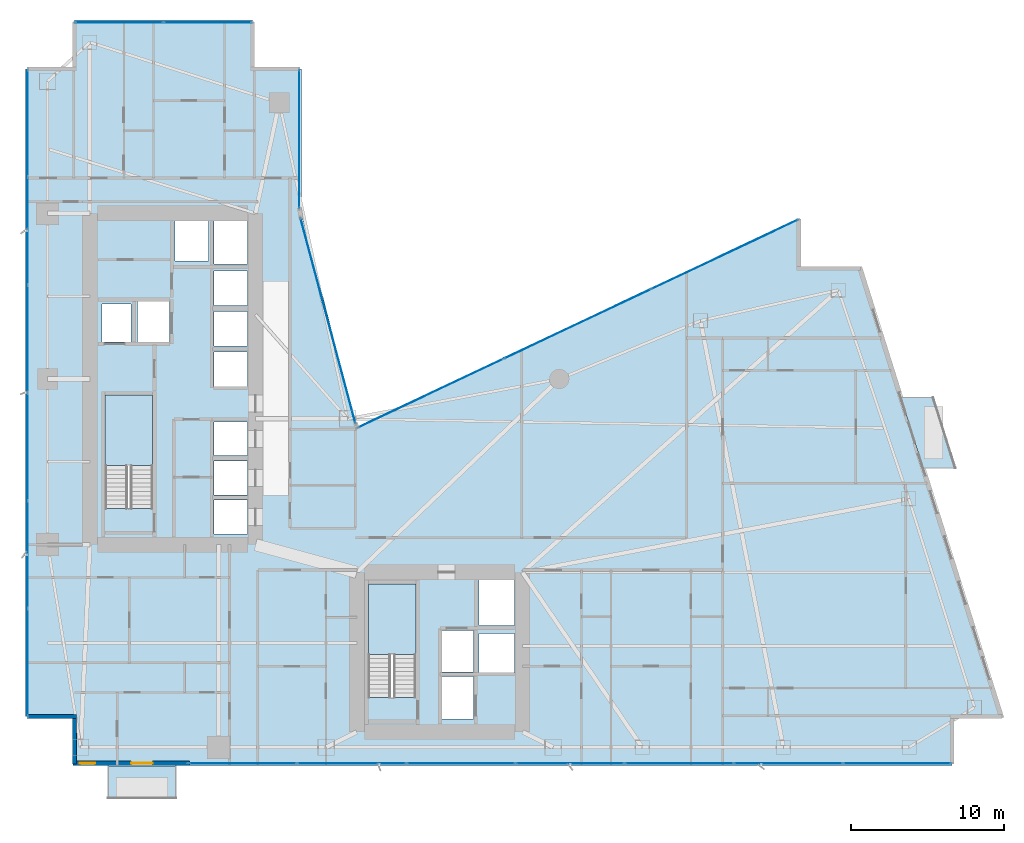
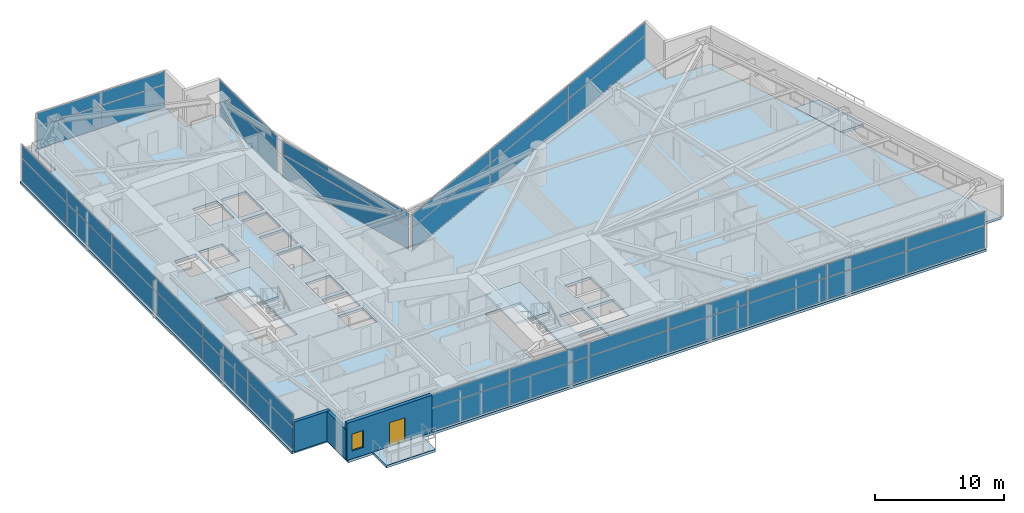
# One storey, part 20 of 28: 40 plates, 5 slabs, 3 walls, 1 door, 1 window, 2 openings, 8 elements without a shape of their own.
"""IFC4 building model written with IfcOpenShell, lengths in metres."""

from ifc_helpers import new_model, si_unit, direction, frame, frame_2d, origin, origin_2d, place, context, subcontext, project, spatial, polyline, rectangle, outline, extrude, material, layer, layer_set, type_object, element, fill, aggregate, save


model = new_model("IFC4")

# Units and contexts
model_context = context("Model", 3, precision=1e-05, world=origin(), true_north=direction((0.0, 1.0)))
body_context = subcontext(model_context, "Body", "Model", "MODEL_VIEW")
ifc_project = project(units=[si_unit("LENGTHUNIT", "METRE"), si_unit("AREAUNIT", "SQUARE_METRE"), si_unit("VOLUMEUNIT", "CUBIC_METRE"), si_unit("PLANEANGLEUNIT", "RADIAN"), si_unit("MASSUNIT", "GRAM", prefix="KILO")], contexts=[model_context])

# Site, building, storey
site_placement = place(None, origin())
site = spatial("IfcSite", under=ifc_project, at=site_placement, CompositionType="ELEMENT")
building_placement = place(site_placement, origin())
building = spatial("IfcBuilding", under=site, at=building_placement, Name="Calvorn Quay Hotel", CompositionType="ELEMENT")
storey_placement = place(building_placement, frame((0.0, 0.0, 88.800048828125)))
storey = spatial("IfcBuildingStorey", under=building, at=storey_placement, Name="L21", CompositionType="ELEMENT", Elevation=88.800048828125)

# Curtain wall, plates
ifc_material_1 = material(Name="Pale Anodised Aluminium and Low-E Glass", Category="aluminium")
ifc_layer_1 = layer(ifc_material_1, 0.219970703125)
ifc_layer_set_1 = layer_set([ifc_layer_1], Name="CW-SYS-Z1")
curtain_wall_type = type_object("IfcCurtainWallType", Name="CW-SYS-Z1", PredefinedType="NOTDEFINED", material=ifc_layer_set_1)
curtain_wall_1_placement = place(storey_placement, origin())
curtain_wall_1 = element("IfcCurtainWall", 1, at=curtain_wall_1_placement, inside=storey, type_object=curtain_wall_type, Name="Tower West Curtain Wall (L21)", PredefinedType="NOTDEFINED")
ifc_material_2 = material(Name="Low-E Laminated Double Glazing", Category="glass")
ifc_layer_2 = layer(ifc_material_2, 0.028076171875)
ifc_layer_set_2 = layer_set([ifc_layer_2], Name="CW-SYS-Z1-PAN")
plate_type = type_object("IfcPlateType", Name="CW-SYS-Z1-PAN", PredefinedType="CURTAIN_PANEL", material=ifc_layer_set_2)
plate_1_placement = place(storey_placement, frame((0.14990234375, 9.131591796875, 0.06005859375), z_axis=(0.0, 0.0, 1.0), x_axis=(0.0, 1.0, 0.0)))
plate_1 = element("IfcPlate", 2, at=plate_1_placement, type_object=plate_type, Name="CW-L21-W panel 1.1", PredefinedType="CURTAIN_PANEL", context=body_context, shape_type="SweptSolid", body=[
    extrude(rectangle(XDim=6.943359375, YDim=0.028076171875, at=origin_2d()), origin(), (0.0, 0.0, 1.0), 2.110107421875),
])
plate_2_placement = place(storey_placement, frame((0.14990234375, 9.131591796875, 2.22998046875), z_axis=(0.0, 0.0, 1.0), x_axis=(0.0, 1.0, 0.0)))
plate_2 = element("IfcPlate", 3, at=plate_2_placement, type_object=plate_type, Name="CW-L21-W panel 1.2", PredefinedType="CURTAIN_PANEL", context=body_context, shape_type="SweptSolid", body=[
    extrude(rectangle(XDim=6.943359375, YDim=0.028076171875, at=origin_2d()), origin(), (0.0, 0.0, 1.0), 1.22998046875),
])
plate_3_placement = place(storey_placement, frame((0.14990234375, 16.14990234375, 0.06005859375), z_axis=(0.0, 0.0, 1.0), x_axis=(0.0, 1.0, 0.0)))
plate_3 = element("IfcPlate", 4, at=plate_3_placement, type_object=plate_type, Name="CW-L21-W panel 2.1", PredefinedType="CURTAIN_PANEL", context=body_context, shape_type="SweptSolid", body=[
    extrude(rectangle(XDim=6.973388671875, YDim=0.028076171875, at=origin_2d()), origin(), (0.0, 0.0, 1.0), 2.110107421875),
])
plate_4_placement = place(storey_placement, frame((0.14990234375, 16.14990234375, 2.22998046875), z_axis=(0.0, 0.0, 1.0), x_axis=(0.0, 1.0, 0.0)))
plate_4 = element("IfcPlate", 5, at=plate_4_placement, type_object=plate_type, Name="CW-L21-W panel 2.2", PredefinedType="CURTAIN_PANEL", context=body_context, shape_type="SweptSolid", body=[
    extrude(rectangle(XDim=6.973388671875, YDim=0.028076171875, at=origin_2d()), origin(), (0.0, 0.0, 1.0), 1.22998046875),
])
plate_5_placement = place(storey_placement, frame((0.14990234375, 23.183349609375, 0.06005859375), z_axis=(0.0, 0.0, 1.0), x_axis=(0.0, 1.0, 0.0)))
plate_5 = element("IfcPlate", 6, at=plate_5_placement, type_object=plate_type, Name="CW-L21-W panel 3.1", PredefinedType="CURTAIN_PANEL", context=body_context, shape_type="SweptSolid", body=[
    extrude(rectangle(XDim=6.973388671875, YDim=0.028076171875, at=origin_2d()), origin(), (0.0, 0.0, 1.0), 2.110107421875),
])
plate_6_placement = place(storey_placement, frame((0.14990234375, 23.183349609375, 2.22998046875), z_axis=(0.0, 0.0, 1.0), x_axis=(0.0, 1.0, 0.0)))
plate_6 = element("IfcPlate", 7, at=plate_6_placement, type_object=plate_type, Name="CW-L21-W panel 3.2", PredefinedType="CURTAIN_PANEL", context=body_context, shape_type="SweptSolid", body=[
    extrude(rectangle(XDim=6.973388671875, YDim=0.028076171875, at=origin_2d()), origin(), (0.0, 0.0, 1.0), 1.22998046875),
])
plate_7_placement = place(storey_placement, frame((0.14990234375, 30.216552734375, 0.06005859375), z_axis=(0.0, 0.0, 1.0), x_axis=(0.0, 1.0, 0.0)))
plate_7 = element("IfcPlate", 8, at=plate_7_placement, type_object=plate_type, Name="CW-L21-W panel 4.1", PredefinedType="CURTAIN_PANEL", context=body_context, shape_type="SweptSolid", body=[
    extrude(rectangle(XDim=6.973388671875, YDim=0.028076171875, at=origin_2d()), origin(), (0.0, 0.0, 1.0), 2.110107421875),
])
plate_8_placement = place(storey_placement, frame((0.14990234375, 30.216552734375, 2.22998046875), z_axis=(0.0, 0.0, 1.0), x_axis=(0.0, 1.0, 0.0)))
plate_8 = element("IfcPlate", 9, at=plate_8_placement, type_object=plate_type, Name="CW-L21-W panel 4.2", PredefinedType="CURTAIN_PANEL", context=body_context, shape_type="SweptSolid", body=[
    extrude(rectangle(XDim=6.973388671875, YDim=0.028076171875, at=origin_2d()), origin(), (0.0, 0.0, 1.0), 1.22998046875),
])
plate_9_placement = place(storey_placement, frame((0.14990234375, 37.25, 0.06005859375), z_axis=(0.0, 0.0, 1.0), x_axis=(0.0, 1.0, 0.0)))
plate_9 = element("IfcPlate", 10, at=plate_9_placement, type_object=plate_type, Name="CW-L21-W panel 5.1", PredefinedType="CURTAIN_PANEL", context=body_context, shape_type="SweptSolid", body=[
    extrude(rectangle(XDim=6.973388671875, YDim=0.028076171875, at=origin_2d()), origin(), (0.0, 0.0, 1.0), 2.110107421875),
])
plate_10_placement = place(storey_placement, frame((0.14990234375, 37.25, 2.22998046875), z_axis=(0.0, 0.0, 1.0), x_axis=(0.0, 1.0, 0.0)))
plate_10 = element("IfcPlate", 11, at=plate_10_placement, type_object=plate_type, Name="CW-L21-W panel 5.2", PredefinedType="CURTAIN_PANEL", context=body_context, shape_type="SweptSolid", body=[
    extrude(rectangle(XDim=6.973388671875, YDim=0.028076171875, at=origin_2d()), origin(), (0.0, 0.0, 1.0), 1.22998046875),
])
plate_11_placement = place(storey_placement, frame((0.14990234375, 44.268310546875, 0.06005859375), z_axis=(0.0, 0.0, 1.0), x_axis=(0.0, 1.0, 0.0)))
plate_11 = element("IfcPlate", 12, at=plate_11_placement, type_object=plate_type, Name="CW-L21-W panel 6.1", PredefinedType="CURTAIN_PANEL", context=body_context, shape_type="SweptSolid", body=[
    extrude(rectangle(XDim=6.943359375, YDim=0.028076171875, at=origin_2d()), origin(), (0.0, 0.0, 1.0), 2.110107421875),
])
plate_12_placement = place(storey_placement, frame((0.14990234375, 44.268310546875, 2.22998046875), z_axis=(0.0, 0.0, 1.0), x_axis=(0.0, 1.0, 0.0)))
plate_12 = element("IfcPlate", 13, at=plate_12_placement, type_object=plate_type, Name="CW-L21-W panel 6.2", PredefinedType="CURTAIN_PANEL", context=body_context, shape_type="SweptSolid", body=[
    extrude(rectangle(XDim=6.943359375, YDim=0.028076171875, at=origin_2d()), origin(), (0.0, 0.0, 1.0), 1.22998046875),
])
aggregate(curtain_wall_1, [plate_1, plate_2, plate_3, plate_4, plate_5, plate_6, plate_7, plate_8, plate_9, plate_10, plate_11, plate_12])

curtain_wall_2_placement = place(storey_placement, origin())
curtain_wall_2 = element("IfcCurtainWall", 14, at=curtain_wall_2_placement, inside=storey, type_object=curtain_wall_type, Name="Tower South Waterfront Curtain Wall (L21)", PredefinedType="NOTDEFINED")
plate_13_placement = place(storey_placement, frame((14.172119140625, 2.550048828125, 0.06005859375), z_axis=(0.0, 0.0, 1.0), x_axis=(1.0, 0.0, 0.0)))
plate_13 = element("IfcPlate", 15, at=plate_13_placement, type_object=plate_type, Name="CW-L21-S panel 1.1", PredefinedType="CURTAIN_PANEL", context=body_context, shape_type="SweptSolid", body=[
    extrude(rectangle(XDim=7.024169921875, YDim=0.028076171875, at=origin_2d()), origin(), (0.0, 0.0, 1.0), 2.110107421875),
])
plate_14_placement = place(storey_placement, frame((14.172119140625, 2.550048828125, 2.22998046875), z_axis=(0.0, 0.0, 1.0), x_axis=(1.0, 0.0, 0.0)))
plate_14 = element("IfcPlate", 16, at=plate_14_placement, type_object=plate_type, Name="CW-L21-S panel 1.2", PredefinedType="CURTAIN_PANEL", context=body_context, shape_type="SweptSolid", body=[
    extrude(rectangle(XDim=7.024169921875, YDim=0.028076171875, at=origin_2d()), origin(), (0.0, 0.0, 1.0), 1.22998046875),
])
plate_15_placement = place(storey_placement, frame((21.271484375, 2.550048828125, 0.06005859375), z_axis=(0.0, 0.0, 1.0), x_axis=(1.0, 0.0, 0.0)))
plate_15 = element("IfcPlate", 17, at=plate_15_placement, type_object=plate_type, Name="CW-L21-S panel 2.1", PredefinedType="CURTAIN_PANEL", context=body_context, shape_type="SweptSolid", body=[
    extrude(rectangle(XDim=7.05419921875, YDim=0.028076171875, at=origin_2d()), origin(), (0.0, 0.0, 1.0), 2.110107421875),
])
plate_16_placement = place(storey_placement, frame((21.271484375, 2.550048828125, 2.22998046875), z_axis=(0.0, 0.0, 1.0), x_axis=(1.0, 0.0, 0.0)))
plate_16 = element("IfcPlate", 18, at=plate_16_placement, type_object=plate_type, Name="CW-L21-S panel 2.2", PredefinedType="CURTAIN_PANEL", context=body_context, shape_type="SweptSolid", body=[
    extrude(rectangle(XDim=7.05419921875, YDim=0.028076171875, at=origin_2d()), origin(), (0.0, 0.0, 1.0), 1.22998046875),
])
plate_17_placement = place(storey_placement, frame((28.3857421875, 2.550048828125, 0.06005859375), z_axis=(0.0, 0.0, 1.0), x_axis=(1.0, 0.0, 0.0)))
plate_17 = element("IfcPlate", 19, at=plate_17_placement, type_object=plate_type, Name="CW-L21-S panel 3.1", PredefinedType="CURTAIN_PANEL", context=body_context, shape_type="SweptSolid", body=[
    extrude(rectangle(XDim=7.05419921875, YDim=0.028076171875, at=origin_2d()), origin(), (0.0, 0.0, 1.0), 2.110107421875),
])
plate_18_placement = place(storey_placement, frame((28.3857421875, 2.550048828125, 2.22998046875), z_axis=(0.0, 0.0, 1.0), x_axis=(1.0, 0.0, 0.0)))
plate_18 = element("IfcPlate", 20, at=plate_18_placement, type_object=plate_type, Name="CW-L21-S panel 3.2", PredefinedType="CURTAIN_PANEL", context=body_context, shape_type="SweptSolid", body=[
    extrude(rectangle(XDim=7.05419921875, YDim=0.028076171875, at=origin_2d()), origin(), (0.0, 0.0, 1.0), 1.22998046875),
])
plate_19_placement = place(storey_placement, frame((35.5, 2.550048828125, 0.06005859375), z_axis=(0.0, 0.0, 1.0), x_axis=(1.0, 0.0, 0.0)))
plate_19 = element("IfcPlate", 21, at=plate_19_placement, type_object=plate_type, Name="CW-L21-S panel 4.1", PredefinedType="CURTAIN_PANEL", context=body_context, shape_type="SweptSolid", body=[
    extrude(rectangle(XDim=7.05419921875, YDim=0.028076171875, at=origin_2d()), origin(), (0.0, 0.0, 1.0), 2.110107421875),
])
plate_20_placement = place(storey_placement, frame((35.5, 2.550048828125, 2.22998046875), z_axis=(0.0, 0.0, 1.0), x_axis=(1.0, 0.0, 0.0)))
plate_20 = element("IfcPlate", 22, at=plate_20_placement, type_object=plate_type, Name="CW-L21-S panel 4.2", PredefinedType="CURTAIN_PANEL", context=body_context, shape_type="SweptSolid", body=[
    extrude(rectangle(XDim=7.05419921875, YDim=0.028076171875, at=origin_2d()), origin(), (0.0, 0.0, 1.0), 1.22998046875),
])
plate_21_placement = place(storey_placement, frame((42.6142578125, 2.550048828125, 0.06005859375), z_axis=(0.0, 0.0, 1.0), x_axis=(1.0, 0.0, 0.0)))
plate_21 = element("IfcPlate", 23, at=plate_21_placement, type_object=plate_type, Name="CW-L21-S panel 5.1", PredefinedType="CURTAIN_PANEL", context=body_context, shape_type="SweptSolid", body=[
    extrude(rectangle(XDim=7.05419921875, YDim=0.028076171875, at=origin_2d()), origin(), (0.0, 0.0, 1.0), 2.110107421875),
])
plate_22_placement = place(storey_placement, frame((42.6142578125, 2.550048828125, 2.22998046875), z_axis=(0.0, 0.0, 1.0), x_axis=(1.0, 0.0, 0.0)))
plate_22 = element("IfcPlate", 24, at=plate_22_placement, type_object=plate_type, Name="CW-L21-S panel 5.2", PredefinedType="CURTAIN_PANEL", context=body_context, shape_type="SweptSolid", body=[
    extrude(rectangle(XDim=7.05419921875, YDim=0.028076171875, at=origin_2d()), origin(), (0.0, 0.0, 1.0), 1.22998046875),
])
plate_23_placement = place(storey_placement, frame((49.728515625, 2.550048828125, 0.06005859375), z_axis=(0.0, 0.0, 1.0), x_axis=(1.0, 0.0, 0.0)))
plate_23 = element("IfcPlate", 25, at=plate_23_placement, type_object=plate_type, Name="CW-L21-S panel 6.1", PredefinedType="CURTAIN_PANEL", context=body_context, shape_type="SweptSolid", body=[
    extrude(rectangle(XDim=7.05419921875, YDim=0.028076171875, at=origin_2d()), origin(), (0.0, 0.0, 1.0), 2.110107421875),
])
plate_24_placement = place(storey_placement, frame((49.728515625, 2.550048828125, 2.22998046875), z_axis=(0.0, 0.0, 1.0), x_axis=(1.0, 0.0, 0.0)))
plate_24 = element("IfcPlate", 26, at=plate_24_placement, type_object=plate_type, Name="CW-L21-S panel 6.2", PredefinedType="CURTAIN_PANEL", context=body_context, shape_type="SweptSolid", body=[
    extrude(rectangle(XDim=7.05419921875, YDim=0.028076171875, at=origin_2d()), origin(), (0.0, 0.0, 1.0), 1.22998046875),
])
plate_25_placement = place(storey_placement, frame((56.827880859375, 2.550048828125, 0.06005859375), z_axis=(0.0, 0.0, 1.0), x_axis=(1.0, 0.0, 0.0)))
plate_25 = element("IfcPlate", 27, at=plate_25_placement, type_object=plate_type, Name="CW-L21-S panel 7.1", PredefinedType="CURTAIN_PANEL", context=body_context, shape_type="SweptSolid", body=[
    extrude(rectangle(XDim=7.024169921875, YDim=0.028076171875, at=origin_2d()), origin(), (0.0, 0.0, 1.0), 2.110107421875),
])
plate_26_placement = place(storey_placement, frame((56.827880859375, 2.550048828125, 2.22998046875), z_axis=(0.0, 0.0, 1.0), x_axis=(1.0, 0.0, 0.0)))
plate_26 = element("IfcPlate", 28, at=plate_26_placement, type_object=plate_type, Name="CW-L21-S panel 7.2", PredefinedType="CURTAIN_PANEL", context=body_context, shape_type="SweptSolid", body=[
    extrude(rectangle(XDim=7.024169921875, YDim=0.028076171875, at=origin_2d()), origin(), (0.0, 0.0, 1.0), 1.22998046875),
])
aggregate(curtain_wall_2, [plate_13, plate_14, plate_15, plate_16, plate_17, plate_18, plate_19, plate_20, plate_21, plate_22, plate_23, plate_24, plate_25, plate_26])

curtain_wall_3_placement = place(storey_placement, origin())
curtain_wall_3 = element("IfcCurtainWall", 29, at=curtain_wall_3_placement, inside=storey, type_object=curtain_wall_type, Name="Inner Court Curtain Wall L21-NE1", PredefinedType="NOTDEFINED")
plate_27_placement = place(storey_placement, frame((45.58642578125, 35.726806640625, 0.06005859375), z_axis=(0.0, 0.0, 1.0), x_axis=(-0.904248646743, -0.427006305415, 0.0)))
plate_27 = element("IfcPlate", 30, at=plate_27_placement, type_object=plate_type, Name="CW-L21-NE1 panel 1.1", PredefinedType="CURTAIN_PANEL", context=body_context, shape_type="SweptSolid", body=[
    extrude(rectangle(XDim=10.526611328125, YDim=0.028076171875, at=origin_2d()), origin(), (0.0, 0.0, 1.0), 2.110107421875),
])
plate_28_placement = place(storey_placement, frame((45.58642578125, 35.726806640625, 2.22998046875), z_axis=(0.0, 0.0, 1.0), x_axis=(-0.904248646743, -0.427006305415, 0.0)))
plate_28 = element("IfcPlate", 31, at=plate_28_placement, type_object=plate_type, Name="CW-L21-NE1 panel 1.2", PredefinedType="CURTAIN_PANEL", context=body_context, shape_type="SweptSolid", body=[
    extrude(rectangle(XDim=10.526611328125, YDim=0.028076171875, at=origin_2d()), origin(), (0.0, 0.0, 1.0), 1.22998046875),
])
plate_29_placement = place(storey_placement, frame((36.0, 31.199951171875, 0.06005859375), z_axis=(0.0, 0.0, 1.0), x_axis=(-0.904248646743, -0.427006305415, 0.0)))
plate_29 = element("IfcPlate", 32, at=plate_29_placement, type_object=plate_type, Name="CW-L21-NE1 panel 2.1", PredefinedType="CURTAIN_PANEL", context=body_context, shape_type="SweptSolid", body=[
    extrude(rectangle(XDim=10.556640625, YDim=0.028076171875, at=origin_2d()), origin(), (0.0, 0.0, 1.0), 2.110107421875),
])
plate_30_placement = place(storey_placement, frame((36.0, 31.199951171875, 2.22998046875), z_axis=(0.0, 0.0, 1.0), x_axis=(-0.904248646743, -0.427006305415, 0.0)))
plate_30 = element("IfcPlate", 33, at=plate_30_placement, type_object=plate_type, Name="CW-L21-NE1 panel 2.2", PredefinedType="CURTAIN_PANEL", context=body_context, shape_type="SweptSolid", body=[
    extrude(rectangle(XDim=10.556640625, YDim=0.028076171875, at=origin_2d()), origin(), (0.0, 0.0, 1.0), 1.22998046875),
])
plate_31_placement = place(storey_placement, frame((26.41357421875, 26.673095703125, 0.06005859375), z_axis=(0.0, 0.0, 1.0), x_axis=(-0.904248646743, -0.427006305415, 0.0)))
plate_31 = element("IfcPlate", 34, at=plate_31_placement, type_object=plate_type, Name="CW-L21-NE1 panel 3.1", PredefinedType="CURTAIN_PANEL", context=body_context, shape_type="SweptSolid", body=[
    extrude(rectangle(XDim=10.526611328125, YDim=0.028076171875, at=origin_2d()), origin(), (0.0, 0.0, 1.0), 2.110107421875),
])
plate_32_placement = place(storey_placement, frame((26.41357421875, 26.673095703125, 2.22998046875), z_axis=(0.0, 0.0, 1.0), x_axis=(-0.904248646743, -0.427006305415, 0.0)))
plate_32 = element("IfcPlate", 35, at=plate_32_placement, type_object=plate_type, Name="CW-L21-NE1 panel 3.2", PredefinedType="CURTAIN_PANEL", context=body_context, shape_type="SweptSolid", body=[
    extrude(rectangle(XDim=10.526611328125, YDim=0.028076171875, at=origin_2d()), origin(), (0.0, 0.0, 1.0), 1.22998046875),
])
aggregate(curtain_wall_3, [plate_27, plate_28, plate_29, plate_30, plate_31, plate_32])

curtain_wall_4_placement = place(storey_placement, origin())
curtain_wall_4 = element("IfcCurtainWall", 36, at=curtain_wall_4_placement, inside=storey, type_object=curtain_wall_type, Name="Inner Court Curtain Wall L21-IC1", PredefinedType="NOTDEFINED")
plate_33_placement = place(storey_placement, frame((19.72509765625, 31.39990234375, 0.06005859375), z_axis=(0.0, 0.0, 1.0), x_axis=(-0.25877913024, 0.96593652056, 0.0)))
plate_33 = element("IfcPlate", 37, at=plate_33_placement, type_object=plate_type, Name="CW-L21-IC1 panel 1.1", PredefinedType="CURTAIN_PANEL", context=body_context, shape_type="SweptSolid", body=[
    extrude(rectangle(XDim=13.814697265625, YDim=0.028076171875, at=origin_2d()), origin(), (0.0, 0.0, 1.0), 2.110107421875),
])
plate_34_placement = place(storey_placement, frame((19.72509765625, 31.39990234375, 2.22998046875), z_axis=(0.0, 0.0, 1.0), x_axis=(-0.25877913024, 0.96593652056, 0.0)))
plate_34 = element("IfcPlate", 38, at=plate_34_placement, type_object=plate_type, Name="CW-L21-IC1 panel 1.2", PredefinedType="CURTAIN_PANEL", context=body_context, shape_type="SweptSolid", body=[
    extrude(rectangle(XDim=13.814697265625, YDim=0.028076171875, at=origin_2d()), origin(), (0.0, 0.0, 1.0), 1.22998046875),
])
aggregate(curtain_wall_4, [plate_33, plate_34])

curtain_wall_5_placement = place(storey_placement, origin())
curtain_wall_5 = element("IfcCurtainWall", 39, at=curtain_wall_5_placement, inside=storey, type_object=curtain_wall_type, Name="Inner Court Curtain Wall L21-IC2", PredefinedType="NOTDEFINED")
plate_35_placement = place(storey_placement, frame((17.85009765625, 43.239990234375, 0.06005859375), z_axis=(0.0, 0.0, 1.0), x_axis=(0.0, 1.0, 0.0)))
plate_35 = element("IfcPlate", 40, at=plate_35_placement, type_object=plate_type, Name="CW-L21-IC2 panel 1.1", PredefinedType="CURTAIN_PANEL", context=body_context, shape_type="SweptSolid", body=[
    extrude(rectangle(XDim=9.0, YDim=0.028076171875, at=origin_2d()), origin(), (0.0, 0.0, 1.0), 2.110107421875),
])
plate_36_placement = place(storey_placement, frame((17.85009765625, 43.239990234375, 2.22998046875), z_axis=(0.0, 0.0, 1.0), x_axis=(0.0, 1.0, 0.0)))
plate_36 = element("IfcPlate", 41, at=plate_36_placement, type_object=plate_type, Name="CW-L21-IC2 panel 1.2", PredefinedType="CURTAIN_PANEL", context=body_context, shape_type="SweptSolid", body=[
    extrude(rectangle(XDim=9.0, YDim=0.028076171875, at=origin_2d()), origin(), (0.0, 0.0, 1.0), 1.22998046875),
])
aggregate(curtain_wall_5, [plate_35, plate_36])

curtain_wall_6_placement = place(storey_placement, origin())
curtain_wall_6 = element("IfcCurtainWall", 42, at=curtain_wall_6_placement, inside=storey, type_object=curtain_wall_type, Name="Inner Court Curtain Wall L21-N1", PredefinedType="NOTDEFINED")
plate_37_placement = place(storey_placement, frame((11.885009765625, 50.85009765625, 0.06005859375), z_axis=(0.0, 0.0, 1.0), x_axis=(-1.0, 0.0, 0.0)))
plate_37 = element("IfcPlate", 43, at=plate_37_placement, type_object=plate_type, Name="CW-L21-N1 panel 1.1", PredefinedType="CURTAIN_PANEL", context=body_context, shape_type="SweptSolid", body=[
    extrude(rectangle(XDim=5.7099609375, YDim=0.028076171875, at=origin_2d()), origin(), (0.0, 0.0, 1.0), 2.110107421875),
])
plate_38_placement = place(storey_placement, frame((11.885009765625, 50.85009765625, 2.22998046875), z_axis=(0.0, 0.0, 1.0), x_axis=(-1.0, 0.0, 0.0)))
plate_38 = element("IfcPlate", 44, at=plate_38_placement, type_object=plate_type, Name="CW-L21-N1 panel 1.2", PredefinedType="CURTAIN_PANEL", context=body_context, shape_type="SweptSolid", body=[
    extrude(rectangle(XDim=5.7099609375, YDim=0.028076171875, at=origin_2d()), origin(), (0.0, 0.0, 1.0), 1.22998046875),
])
plate_39_placement = place(storey_placement, frame((6.114990234375, 50.85009765625, 0.06005859375), z_axis=(0.0, 0.0, 1.0), x_axis=(-1.0, 0.0, 0.0)))
plate_39 = element("IfcPlate", 45, at=plate_39_placement, type_object=plate_type, Name="CW-L21-N1 panel 2.1", PredefinedType="CURTAIN_PANEL", context=body_context, shape_type="SweptSolid", body=[
    extrude(rectangle(XDim=5.7099609375, YDim=0.028076171875, at=origin_2d()), origin(), (0.0, 0.0, 1.0), 2.110107421875),
])
plate_40_placement = place(storey_placement, frame((6.114990234375, 50.85009765625, 2.22998046875), z_axis=(0.0, 0.0, 1.0), x_axis=(-1.0, 0.0, 0.0)))
plate_40 = element("IfcPlate", 46, at=plate_40_placement, type_object=plate_type, Name="CW-L21-N1 panel 2.2", PredefinedType="CURTAIN_PANEL", context=body_context, shape_type="SweptSolid", body=[
    extrude(rectangle(XDim=5.7099609375, YDim=0.028076171875, at=origin_2d()), origin(), (0.0, 0.0, 1.0), 1.22998046875),
])
aggregate(curtain_wall_6, [plate_37, plate_38, plate_39, plate_40])

# Slabs
ifc_material_3 = material(Name="Concrete C40", Category="concrete")
ifc_layer_3 = layer(ifc_material_3, 0.239990234375)
ifc_layer_set_3 = layer_set([ifc_layer_3], Name="SLB-BALCONY-220")
slab_type_1 = type_object("IfcSlabType", Name="SLB-BALCONY-220", PredefinedType="FLOOR", material=ifc_layer_set_3)
slab_1_placement = place(storey_placement, frame((0.0, 0.0, -0.239990234375)))
element("IfcSlab", 47, at=slab_1_placement, inside=storey, type_object=slab_type_1, Name="Tree Balcony Slab L21-BALC-E", PredefinedType="FLOOR", context=body_context, shape_type="SweptSolid", body=[
    extrude(outline(polyline([(58.506103515625, 21.800048828125), (60.60595703125, 21.800048828125), (59.156982421875, 26.39990234375), (57.056884765625, 26.39990234375), (58.506103515625, 21.800048828125)])), origin(), (0.0, 0.0, 1.0), 0.239990234375),
])
slab_2_placement = place(storey_placement, frame((0.0, 0.0, -0.239990234375)))
element("IfcSlab", 48, at=slab_2_placement, inside=storey, type_object=slab_type_1, Name="Tree Balcony Slab L21-BALC-S", PredefinedType="FLOOR", context=body_context, shape_type="SweptSolid", body=[
    extrude(outline(polyline([(5.39990234375, 0.2900390625), (9.800048828125, 0.2900390625), (9.800048828125, 2.389892578125), (5.39990234375, 2.389892578125), (5.39990234375, 0.2900390625)])), origin(), (0.0, 0.0, 1.0), 0.239990234375),
])

# Stair, slab
ifc_material_4 = material(Name="Concrete C40", Category="concrete")
stair_type = type_object("IfcStairType", Name="STR-CORE-DOGLEG", PredefinedType="HALF_TURN_STAIR", material=ifc_material_4)
stair_1_placement = place(storey_placement, origin())
stair_1 = element("IfcStair", 49, at=stair_1_placement, inside=storey, type_object=stair_type, Name="L21 ST-W", PredefinedType="HALF_TURN_STAIR")
ifc_material_5 = material(Name="Concrete C40", Category="concrete")
ifc_layer_4 = layer(ifc_material_5, 0.199951171875)
ifc_layer_set_4 = layer_set([ifc_layer_4], Name="SLB-STAIR-LANDING-200")
slab_type_2 = type_object("IfcSlabType", Name="SLB-STAIR-LANDING-200", PredefinedType="LANDING", material=ifc_layer_set_4)
slab_3_placement = place(storey_placement, frame((0.0, 0.0, 1.699951171875)))
slab_3 = element("IfcSlab", 50, at=slab_3_placement, type_object=slab_type_2, Name="ST-W landing 1", PredefinedType="LANDING", context=body_context, shape_type="SweptSolid", body=[
    extrude(outline(polyline([(8.300048828125, 21.949951171875), (8.300048828125, 26.550048828125), (5.199951171875, 26.550048828125), (5.199951171875, 21.949951171875), (8.300048828125, 21.949951171875)])), origin(), (0.0, 0.0, 1.0), 0.199951171875),
])
aggregate(stair_1, [slab_3])

stair_2_placement = place(storey_placement, origin())
stair_2 = element("IfcStair", 51, at=stair_2_placement, inside=storey, type_object=stair_type, Name="L21 ST-E", PredefinedType="HALF_TURN_STAIR")
slab_4_placement = place(storey_placement, frame((0.0, 0.0, 1.699951171875)))
slab_4 = element("IfcSlab", 52, at=slab_4_placement, type_object=slab_type_2, Name="ST-E landing 1", PredefinedType="LANDING", context=body_context, shape_type="SweptSolid", body=[
    extrude(outline(polyline([(25.449951171875, 9.64990234375), (25.449951171875, 14.25), (22.35009765625, 14.25), (22.35009765625, 9.64990234375), (25.449951171875, 9.64990234375)])), origin(), (0.0, 0.0, 1.0), 0.199951171875),
])
aggregate(stair_2, [slab_4])

# Slab
ifc_material_6 = material(Name="Concrete C40", Category="concrete")
ifc_layer_5 = layer(ifc_material_6, 0.239990234375)
ifc_layer_set_5 = layer_set([ifc_layer_5], Name="SLB-TOWER-240")
slab_type_3 = type_object("IfcSlabType", Name="SLB-TOWER-240", PredefinedType="FLOOR", material=ifc_layer_set_5)
slab_5_placement = place(storey_placement, frame((0.0, 0.0, -0.239990234375)))
element("IfcSlab", 53, at=slab_5_placement, inside=storey, type_object=slab_type_3, Name="L21 Structural Floor Slab", PredefinedType="FLOOR", context=body_context, shape_type="SweptSolid", body=[
    extrude(outline(polyline([(0.0, 5.60009765625), (3.199951171875, 5.60009765625), (3.199951171875, 2.39990234375), (60.39990234375, 2.39990234375), (60.39990234375, 5.60009765625), (63.60009765625, 5.60009765625), (54.39990234375, 34.800048828125), (50.39990234375, 34.800048828125), (50.39990234375, 38.0), (21.60009765625, 24.39990234375), (18.0, 38.39990234375), (18.0, 47.800048828125), (14.800048828125, 47.800048828125), (14.800048828125, 51.0), (3.199951171875, 51.0), (3.199951171875, 47.800048828125), (0.0, 47.800048828125), (0.0, 5.60009765625)]), holes=[polyline([(5.199951171875, 19.156005859375), (8.300048828125, 19.156005859375), (8.300048828125, 26.550048828125), (5.199951171875, 26.550048828125), (5.199951171875, 19.156005859375)]), polyline([(22.35009765625, 6.85595703125), (25.449951171875, 6.85595703125), (25.449951171875, 14.25), (22.35009765625, 14.25), (22.35009765625, 6.85595703125)]), polyline([(5.0, 30.0), (6.89990234375, 30.0), (6.89990234375, 32.5), (5.0, 32.5), (5.0, 30.0)]), polyline([(7.300048828125, 30.0), (9.39990234375, 30.0), (9.39990234375, 32.64990234375), (7.300048828125, 32.64990234375), (7.300048828125, 30.0)]), polyline([(27.159912109375, 8.5), (29.2099609375, 8.5), (29.2099609375, 11.199951171875), (27.159912109375, 11.199951171875), (27.159912109375, 8.5)]), polyline([(27.159912109375, 5.449951171875), (29.2099609375, 5.449951171875), (29.2099609375, 8.199951171875), (27.159912109375, 8.199951171875), (27.159912109375, 5.449951171875)]), polyline([(12.300048828125, 17.5), (14.489990234375, 17.5), (14.489990234375, 19.699951171875), (12.300048828125, 19.699951171875), (12.300048828125, 17.5)]), polyline([(12.300048828125, 20.050048828125), (14.489990234375, 20.050048828125), (14.489990234375, 22.25), (12.300048828125, 22.25), (12.300048828125, 20.050048828125)]), polyline([(12.300048828125, 22.60009765625), (14.489990234375, 22.60009765625), (14.489990234375, 24.800048828125), (12.300048828125, 24.800048828125), (12.300048828125, 22.60009765625)]), polyline([(12.300048828125, 27.10009765625), (14.489990234375, 27.10009765625), (14.489990234375, 29.35009765625), (12.300048828125, 29.35009765625), (12.300048828125, 27.10009765625)]), polyline([(12.300048828125, 29.75), (14.489990234375, 29.75), (14.489990234375, 32.0), (12.300048828125, 32.0), (12.300048828125, 29.75)]), polyline([(12.300048828125, 32.39990234375), (14.489990234375, 32.39990234375), (14.489990234375, 34.64990234375), (12.300048828125, 34.64990234375), (12.300048828125, 32.39990234375)]), polyline([(12.300048828125, 35.10009765625), (14.489990234375, 35.10009765625), (14.489990234375, 37.889892578125), (12.300048828125, 37.889892578125), (12.300048828125, 35.10009765625)]), polyline([(9.75, 35.300048828125), (11.949951171875, 35.300048828125), (11.949951171875, 37.889892578125), (9.75, 37.889892578125), (9.75, 35.300048828125)]), polyline([(29.550048828125, 11.550048828125), (31.889892578125, 11.550048828125), (31.889892578125, 14.489990234375), (29.550048828125, 14.489990234375), (29.550048828125, 11.550048828125)]), polyline([(29.550048828125, 8.449951171875), (31.889892578125, 8.449951171875), (31.889892578125, 11.0), (29.550048828125, 11.0), (29.550048828125, 8.449951171875)])]), origin(), (0.0, 0.0, 1.0), 0.239990234375),
])

# Wall, openings, door, window
ifc_material_7 = material(Name="Concrete C40", Category="concrete")
ifc_layer_6 = layer(ifc_material_7, 0.320068359375)
ifc_layer_set_6 = layer_set([ifc_layer_6], Name="WL-EXT-SPANDREL-320")
wall_type = type_object("IfcWallType", Name="WL-EXT-SPANDREL-320", PredefinedType="SOLIDWALL", material=ifc_layer_set_6)
wall_1_placement = place(storey_placement, frame((3.10009765625, 2.56005859375, 0.0), z_axis=(0.0, 0.0, 1.0), x_axis=(1.0, 0.0, 0.0)))
wall_1 = element("IfcWall", 54, at=wall_1_placement, inside=storey, type_object=wall_type, Name="South Balcony Exterior Wall (L21)", PredefinedType="SOLIDWALL", context=body_context, shape_type="SweptSolid", body=[
    extrude(rectangle(XDim=7.599853515625, YDim=0.320068359375, at=frame_2d((3.7998046875, 0.0))), origin(), (0.0, 0.0, 1.0), 3.52001953125),
])
opening_1_placement = place(wall_1_placement, frame((0.449951171875, 0.0, 0.75)))
opening_1 = element("IfcOpeningElement", 55, at=opening_1_placement, cuts=wall_1, Name="Opening WSB-L21-1", PredefinedType="OPENING", context=body_context, shape_type="SweptSolid", body=[
    extrude(rectangle(XDim=1.0, YDim=1.60009765625, at=frame_2d((0.5, 0.800048828125))), frame((0.0, 0.169921875, 0.0), z_axis=(0.0, -1.0, 0.0), x_axis=(1.0, 0.0, 0.0)), (0.0, 0.0, 1.0), 0.340087890625),
])
opening_2_placement = place(wall_1_placement, frame((3.800048828125, 0.0, 0.0)))
opening_2 = element("IfcOpeningElement", 56, at=opening_2_placement, cuts=wall_1, Name="Opening DB-L21-2", PredefinedType="OPENING", context=body_context, shape_type="SweptSolid", body=[
    extrude(rectangle(XDim=1.39990234375, YDim=2.25, at=frame_2d((0.699951171875, 1.125))), frame((0.0, 0.169921875, 0.0), z_axis=(0.0, -1.0, 0.0), x_axis=(1.0, 0.0, 0.0)), (0.0, 0.0, 1.0), 0.340087890625),
])
ifc_material_8 = material(Name="Typhoon-Rated Low-E Aluminium Terrace Door", Category="aluminium")
door_type = type_object("IfcDoorType", Name="DR-BALCONY-GLZ-1400", OperationType="NOTDEFINED", PredefinedType="DOOR", material=ifc_material_8)
door_placement = place(opening_2_placement, origin())
door = element("IfcDoor", 57, at=door_placement, inside=storey, type_object=door_type, Name="Tree Balcony Terrace Door L21-BALC-S", OperationType="SINGLE_SWING_LEFT", OverallHeight=2.25, OverallWidth=1.39990234375, PredefinedType="DOOR", context=body_context, shape_type="SweptSolid", body=[
    extrude(rectangle(XDim=1.39990234375, YDim=2.25, at=frame_2d((0.699951171875, 1.125))), frame((0.0, 0.02490234375, 0.0), z_axis=(0.0, -1.0, 0.0), x_axis=(1.0, 0.0, 0.0)), (0.0, 0.0, 1.0), 0.050048828125),
])
fill(opening_2, door)
ifc_material_9 = material(Name="Self-Closing Class B Side Fire Window")
window_type = type_object("IfcWindowType", Name="WIN-REFUGE-NARROW-1000x1600", PartitioningType="SINGLE_PANEL", PredefinedType="WINDOW", material=ifc_material_9)
window_placement = place(opening_1_placement, origin())
window = element("IfcWindow", 58, at=window_placement, inside=storey, type_object=window_type, Name="South Waterfront Side Window (L21)", OverallHeight=1.60009765625, OverallWidth=1.0, PartitioningType="SINGLE_PANEL", PredefinedType="WINDOW", context=body_context, shape_type="SweptSolid", body=[
    extrude(rectangle(XDim=1.0, YDim=1.60009765625, at=frame_2d((0.5, 0.800048828125))), frame((0.0, 0.030029296875, 0.0), z_axis=(0.0, -1.0, 0.0), x_axis=(1.0, 0.0, 0.0)), (0.0, 0.0, 1.0), 0.06005859375),
])
fill(opening_1, window)

# Walls
wall_2_placement = place(storey_placement, frame((0.1201171875, 5.60009765625, 0.0), z_axis=(0.0, 0.0, 1.0), x_axis=(1.0, 0.0, 0.0)))
element("IfcWall", 59, at=wall_2_placement, inside=storey, type_object=wall_type, Name="Notched Corner Spandrel L21-SW1", PredefinedType="SOLIDWALL", context=body_context, shape_type="SweptSolid", body=[
    extrude(rectangle(XDim=3.219970703125, YDim=0.280029296875, at=frame_2d((1.60986328125, 0.0))), origin(), (0.0, 0.0, 1.0), 2.820068359375),
])
wall_3_placement = place(storey_placement, frame((3.199951171875, 5.4599609375, 0.0), z_axis=(0.0, 0.0, 1.0), x_axis=(0.0, -1.0, 0.0)))
element("IfcWall", 60, at=wall_3_placement, inside=storey, type_object=wall_type, Name="Notched Corner Spandrel L21-SW2", PredefinedType="SOLIDWALL", context=body_context, shape_type="SweptSolid", body=[
    extrude(rectangle(XDim=2.93994140625, YDim=0.280029296875, at=frame_2d((1.469970703125, 0.0))), origin(), (0.0, 0.0, 1.0), 2.820068359375),
])

save(model, "model.ifc")
